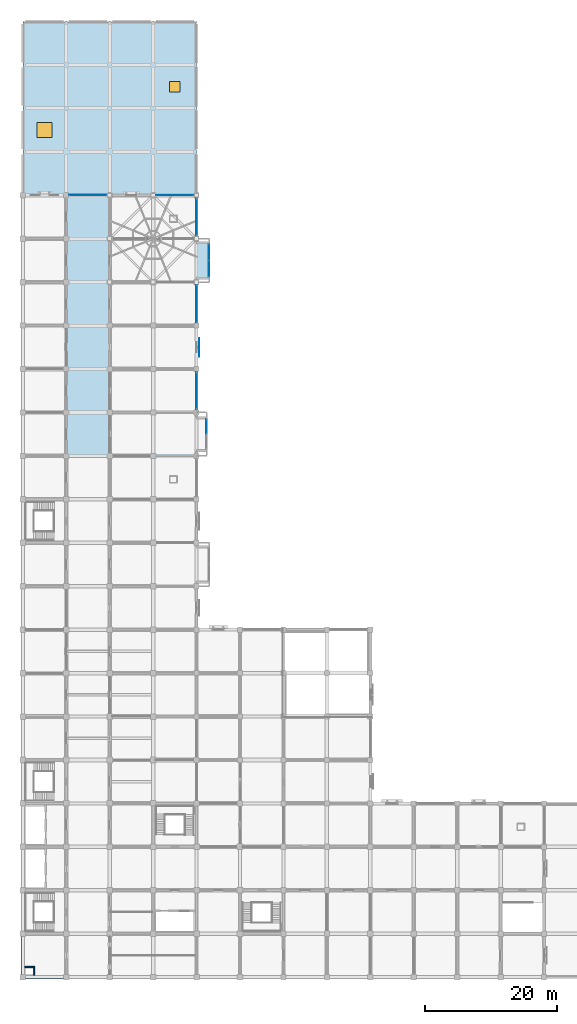
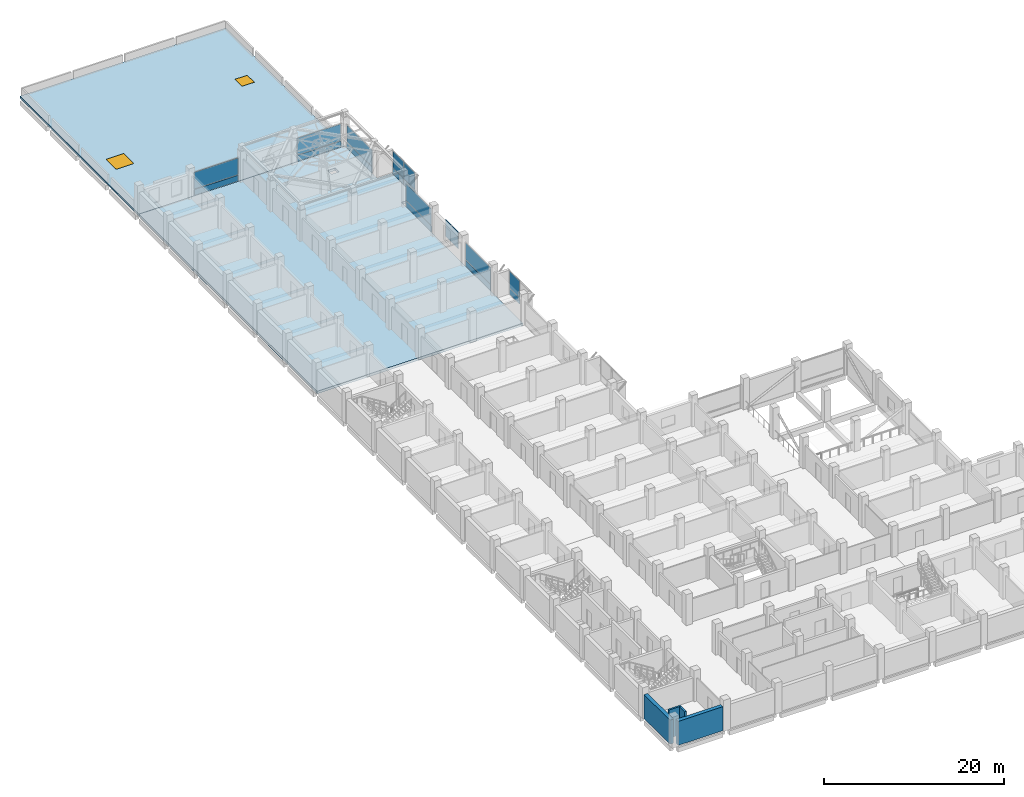
# One storey, part 16 of 30: 17 plates, 4 walls, 2 slabs, 2 windows, 2 openings, 7 elements without a shape of their own.
"""IFC4 building model written with IfcOpenShell, lengths in metres."""

from ifc_helpers import new_model, si_unit, direction, frame, frame_2d, origin, origin_2d, place, context, subcontext, project, spatial, polyline, rectangle, outline, extrude, material, layer, layer_set, type_object, element, fill, aggregate, save


model = new_model("IFC4")

# Units and contexts
model_context = context("Model", 3, precision=1e-05, world=origin(), true_north=direction((0.0, 1.0)))
body_context = subcontext(model_context, "Body", "Model", "MODEL_VIEW")
ifc_project = project(units=[si_unit("LENGTHUNIT", "METRE"), si_unit("AREAUNIT", "SQUARE_METRE"), si_unit("VOLUMEUNIT", "CUBIC_METRE"), si_unit("PLANEANGLEUNIT", "RADIAN"), si_unit("MASSUNIT", "GRAM", prefix="KILO")], contexts=[model_context])

# Site, building, storey
site_placement = place(None, origin())
site = spatial("IfcSite", under=ifc_project, at=site_placement, CompositionType="ELEMENT")
building_placement = place(site_placement, origin())
building = spatial("IfcBuilding", under=site, at=building_placement, Name="Rusizi Kubbe Research Institute", CompositionType="ELEMENT")
storey_placement = place(building_placement, frame((0.0, 0.0, 10.199951171875)))
storey = spatial("IfcBuildingStorey", under=building, at=storey_placement, Name="L02", CompositionType="ELEMENT", Elevation=10.199951171875)

# Curtain wall, plate
ifc_material_1 = material(Name="Thermally Broken Aluminium and Low-E Glazing", Category="aluminium")
curtain_wall_type_1 = type_object("IfcCurtainWallType", Name="CW-05", PredefinedType="NOTDEFINED", material=ifc_material_1)
curtain_wall_1_placement = place(storey_placement, origin())
curtain_wall_1 = element("IfcCurtainWall", 1, at=curtain_wall_1_placement, inside=storey, type_object=curtain_wall_type_1, Name="Unitised Facade Curtain Wall CW-L02-V-04-15", PredefinedType="NOTDEFINED")
ifc_material_2 = material(Name="Double Low-E Solar Control Insulated Glass", Category="glass")
ifc_layer_1 = layer(ifc_material_2, 0.02392578125)
ifc_layer_set_1 = layer_set([ifc_layer_1], Name="Double Low-E Solar Control Insulated Glass")
plate_type_1 = type_object("IfcPlateType", Name="GL-01", PredefinedType="CURTAIN_PANEL", material=ifc_layer_set_1)
plate_1_placement = place(storey_placement, frame((26.39990234375, 102.300048828125, 0.93017578125), z_axis=(0.0, 0.0, 1.0), x_axis=(0.0, 1.0, 0.0)))
plate_1 = element("IfcPlate", 2, at=plate_1_placement, type_object=plate_type_1, Name="CW-05 panel 1.2", PredefinedType="CURTAIN_PANEL", context=body_context, shape_type="SweptSolid", body=[
    extrude(rectangle(XDim=5.6201171875, YDim=0.02392578125, at=origin_2d()), origin(), (0.0, 0.0, 1.0), 2.260009765625),
])

# Curtain wall, plates
ifc_material_3 = material(Name="Thermally Broken Aluminium and Low-E Glazing", Category="aluminium")
curtain_wall_type_2 = type_object("IfcCurtainWallType", Name="CW-01", PredefinedType="NOTDEFINED", material=ifc_material_3)
curtain_wall_2_placement = place(storey_placement, origin())
curtain_wall_2 = element("IfcCurtainWall", 3, at=curtain_wall_2_placement, inside=storey, type_object=curtain_wall_type_2, Name="Cumba Glazed Curtain Wall CW-CUMBA-L02-025", PredefinedType="NOTDEFINED")
ifc_material_4 = material(Name="Double Low-E Solar Control Insulated Glass", Category="glass")
ifc_layer_2 = layer(ifc_material_4, 0.028076171875)
ifc_layer_set_2 = layer_set([ifc_layer_2], Name="Double Low-E Solar Control Insulated Glass")
plate_type_2 = type_object("IfcPlateType", Name="GL-02", PredefinedType="CURTAIN_PANEL", material=ifc_layer_set_2)
plate_2_placement = place(storey_placement, frame((28.300048828125, 107.65625, 0.93017578125), z_axis=(0.0, 0.0, 1.0), x_axis=(0.0, 1.0, 0.0)))
plate_2 = element("IfcPlate", 4, at=plate_2_placement, type_object=plate_type_2, Name="CW-01 panel 1.2", PredefinedType="CURTAIN_PANEL", context=body_context, shape_type="SweptSolid", body=[
    extrude(rectangle(XDim=2.427490234375, YDim=0.028076171875, at=origin_2d()), origin(), (0.0, 0.0, 1.0), 2.260009765625),
])
plate_3_placement = place(storey_placement, frame((28.300048828125, 110.143798828125, 0.93017578125), z_axis=(0.0, 0.0, 1.0), x_axis=(0.0, 1.0, 0.0)))
plate_3 = element("IfcPlate", 5, at=plate_3_placement, type_object=plate_type_2, Name="CW-01 panel 2.2", PredefinedType="CURTAIN_PANEL", context=body_context, shape_type="SweptSolid", body=[
    extrude(rectangle(XDim=2.427490234375, YDim=0.028076171875, at=origin_2d()), origin(), (0.0, 0.0, 1.0), 2.260009765625),
])

# Curtain wall, plate
curtain_wall_3_placement = place(storey_placement, origin())
curtain_wall_3 = element("IfcCurtainWall", 6, at=curtain_wall_3_placement, inside=storey, type_object=curtain_wall_type_1, Name="Unitised Facade Curtain Wall CW-L02-H-03-18", PredefinedType="NOTDEFINED")
ifc_material_5 = material(Name="Double Low-E Solar Control Insulated Glass", Category="glass")
ifc_layer_3 = layer(ifc_material_5, 0.031982421875)
ifc_layer_set_3 = layer_set([ifc_layer_3], Name="Double Low-E Solar Control Insulated Glass")
plate_type_3 = type_object("IfcPlateType", Name="GL-03", PredefinedType="CURTAIN_PANEL", material=ifc_layer_set_3)
plate_4_placement = place(storey_placement, frame((23.10009765625, 118.800048828125, 0.9326171875), z_axis=(0.0, 0.0, 1.0), x_axis=(1.0, 0.0, 0.0)))
plate_4 = element("IfcPlate", 7, at=plate_4_placement, type_object=plate_type_3, Name="CW-05 panel 1.2", PredefinedType="CURTAIN_PANEL", context=body_context, shape_type="SweptSolid", body=[
    extrude(rectangle(XDim=5.610107421875, YDim=0.031982421875, at=origin_2d()), origin(), (0.0, 0.0, 1.0), 2.25244140625),
])

curtain_wall_4_placement = place(storey_placement, origin())
curtain_wall_4 = element("IfcCurtainWall", 8, at=curtain_wall_4_placement, inside=storey, type_object=curtain_wall_type_1, Name="Unitised Facade Curtain Wall CW-L02-H-01-18", PredefinedType="NOTDEFINED")
ifc_material_6 = material(Name="Double Low-E Solar Control Insulated Glass", Category="glass")
ifc_layer_4 = layer(ifc_material_6, 0.035888671875)
ifc_layer_set_4 = layer_set([ifc_layer_4], Name="Double Low-E Solar Control Insulated Glass")
plate_type_4 = type_object("IfcPlateType", Name="GL-04", PredefinedType="CURTAIN_PANEL", material=ifc_layer_set_4)
plate_5_placement = place(storey_placement, frame((9.89990234375, 118.800048828125, 0.93505859375), z_axis=(0.0, 0.0, 1.0), x_axis=(1.0, 0.0, 0.0)))
plate_5 = element("IfcPlate", 9, at=plate_5_placement, type_object=plate_type_4, Name="CW-05 panel 1.2", PredefinedType="CURTAIN_PANEL", context=body_context, shape_type="SweptSolid", body=[
    extrude(rectangle(XDim=5.6201171875, YDim=0.035888671875, at=origin_2d()), origin(), (0.0, 0.0, 1.0), 2.2451171875),
])

curtain_wall_5_placement = place(storey_placement, origin())
curtain_wall_5 = element("IfcCurtainWall", 10, at=curtain_wall_5_placement, inside=storey, type_object=curtain_wall_type_1, Name="Unitised Facade Curtain Wall CW-L02-V-04-17", PredefinedType="NOTDEFINED")
plate_6_placement = place(storey_placement, frame((26.39990234375, 115.5, 0.93505859375), z_axis=(0.0, 0.0, 1.0), x_axis=(0.0, 1.0, 0.0)))
plate_6 = element("IfcPlate", 11, at=plate_6_placement, type_object=plate_type_4, Name="CW-05 panel 1.2", PredefinedType="CURTAIN_PANEL", context=body_context, shape_type="SweptSolid", body=[
    extrude(rectangle(XDim=5.60009765625, YDim=0.035888671875, at=origin_2d()), origin(), (0.0, 0.0, 1.0), 2.2451171875),
])

curtain_wall_6_placement = place(storey_placement, origin())
curtain_wall_6 = element("IfcCurtainWall", 12, at=curtain_wall_6_placement, inside=storey, type_object=curtain_wall_type_2, Name="Cumba Glazed Curtain Wall CW-CUMBA-L02-022", PredefinedType="NOTDEFINED")
ifc_material_7 = material(Name="Double Low-E Solar Control Insulated Glass", Category="glass")
ifc_layer_5 = layer(ifc_material_7, 0.048095703125)
ifc_layer_set_5 = layer_set([ifc_layer_5], Name="Double Low-E Solar Control Insulated Glass")
plate_type_5 = type_object("IfcPlateType", Name="GL-07", PredefinedType="CURTAIN_PANEL", material=ifc_layer_set_5)
plate_7_placement = place(storey_placement, frame((27.89990234375, 83.639892578125, 0.9326171875), z_axis=(0.0, 0.0, 1.0), x_axis=(0.0, 1.0, 0.0)))
plate_7 = element("IfcPlate", 13, at=plate_7_placement, type_object=plate_type_5, Name="CW-01 panel 2.2", PredefinedType="CURTAIN_PANEL", context=body_context, shape_type="SweptSolid", body=[
    extrude(rectangle(XDim=2.205078125, YDim=0.048095703125, at=origin_2d()), origin(), (0.0, 0.0, 1.0), 2.25244140625),
])

curtain_wall_7_placement = place(storey_placement, origin())
curtain_wall_7 = element("IfcCurtainWall", 14, at=curtain_wall_7_placement, inside=storey, type_object=curtain_wall_type_1, Name="Unitised Facade Curtain Wall CW-L02-V-04-13", PredefinedType="NOTDEFINED")
ifc_material_8 = material(Name="Double Low-E Solar Control Insulated Glass", Category="glass")
ifc_layer_6 = layer(ifc_material_8, 0.052001953125)
ifc_layer_set_6 = layer_set([ifc_layer_6], Name="Double Low-E Solar Control Insulated Glass")
plate_type_6 = type_object("IfcPlateType", Name="GL-08", PredefinedType="CURTAIN_PANEL", material=ifc_layer_set_6)
plate_8_placement = place(storey_placement, frame((26.39990234375, 89.10009765625, 0.93505859375), z_axis=(0.0, 0.0, 1.0), x_axis=(0.0, 1.0, 0.0)))
plate_8 = element("IfcPlate", 15, at=plate_8_placement, type_object=plate_type_6, Name="CW-05 panel 1.2", PredefinedType="CURTAIN_PANEL", context=body_context, shape_type="SweptSolid", body=[
    extrude(rectangle(XDim=5.580078125, YDim=0.052001953125, at=origin_2d()), origin(), (0.0, 0.0, 1.0), 2.2451171875),
])

# Plate
ifc_material_9 = material(Name="Perforated Architectural Bronze Screen", Category="steel")
ifc_layer_7 = layer(ifc_material_9, 0.02197265625)
ifc_layer_set_7 = layer_set([ifc_layer_7], Name="Perforated Architectural Bronze Screen")
plate_type_7 = type_object("IfcPlateType", Name="MS-03", PredefinedType="SHEET", material=ifc_layer_set_7)
plate_9_placement = place(storey_placement, frame((26.8125, 95.699951171875, 0.759765625), z_axis=(0.0, 0.0, 1.0), x_axis=(0.0, 1.0, 0.0)))
element("IfcPlate", 16, at=plate_9_placement, inside=storey, type_object=plate_type_7, Name="Mashrabiya Perforated Screen MS-03-032", PredefinedType="SHEET", context=body_context, shape_type="SweptSolid", body=[
    extrude(rectangle(XDim=2.800048828125, YDim=0.02197265625, at=origin_2d()), origin(), (0.0, 0.0, 1.0), 2.340087890625),
])

# Slab
ifc_material_10 = material(Name="Concrete C40/50", Category="concrete")
ifc_layer_8 = layer(ifc_material_10, 0.35009765625)
ifc_layer_set_8 = layer_set([ifc_layer_8], Name="Concrete C40/50")
slab_type_1 = type_object("IfcSlabType", Name="SL-F350", PredefinedType="FLOOR", material=ifc_layer_set_8)
slab_1_placement = place(storey_placement, frame((0.0, 0.0, -0.349853515625)))
element("IfcSlab", 17, at=slab_1_placement, inside=storey, type_object=slab_type_1, Name="Structural Slab L02 NORTHB", PredefinedType="FLOOR", context=body_context, shape_type="SweptSolid", body=[
    extrude(outline(polyline([(0.0, 112.199951171875), (0.0, 118.800048828125), (6.60009765625, 118.800048828125), (13.199951171875, 118.800048828125), (19.800048828125, 118.800048828125), (26.39990234375, 118.800048828125), (26.39990234375, 112.199951171875), (26.39990234375, 111.60009765625), (28.39990234375, 111.60009765625), (28.39990234375, 106.199951171875), (26.39990234375, 106.199951171875), (26.39990234375, 105.60009765625), (26.39990234375, 99.0), (26.39990234375, 92.39990234375), (26.39990234375, 85.800048828125), (26.39990234375, 79.199951171875), (19.800048828125, 79.199951171875), (13.199951171875, 79.199951171875), (6.60009765625, 79.199951171875), (0.0, 79.199951171875), (0.0, 85.800048828125), (0.0, 92.39990234375), (0.0, 99.0), (0.0, 105.60009765625), (0.0, 112.199951171875)]), holes=[polyline([(23.35009765625, 115.64990234375), (22.39990234375, 115.64990234375), (22.39990234375, 114.800048828125), (23.35009765625, 114.800048828125), (23.35009765625, 115.64990234375)])]), origin(), (0.0, 0.0, 1.0), 0.349853515625),
])

# Slab, openings, windows
ifc_material_11 = material(Name="Concrete C40/50", Category="concrete")
ifc_layer_9 = layer(ifc_material_11, 0.260009765625)
ifc_layer_set_9 = layer_set([ifc_layer_9], Name="Concrete C40/50")
slab_type_2 = type_object("IfcSlabType", Name="SL-R260", PredefinedType="ROOF", material=ifc_layer_set_9)
slab_2_placement = place(storey_placement, frame((0.0, 0.0, -0.260009765625)))
slab_2 = element("IfcSlab", 18, at=slab_2_placement, inside=storey, type_object=slab_type_2, Name="Stepback Maintenance Roof Slab L02-1", PredefinedType="ROOF", context=body_context, shape_type="SweptSolid", body=[
    extrude(outline(polyline([(0.0, 145.199951171875), (6.60009765625, 145.199951171875), (13.199951171875, 145.199951171875), (19.800048828125, 145.199951171875), (26.39990234375, 145.199951171875), (26.39990234375, 138.60009765625), (26.39990234375, 132.0), (26.39990234375, 125.39990234375), (26.39990234375, 118.804931640625), (0.0, 118.804931640625), (0.0, 125.39990234375), (0.0, 132.0), (0.0, 138.60009765625), (0.0, 145.199951171875)])), origin(), (0.0, 0.0, 1.0), 0.260009765625),
])
opening_1_placement = place(slab_2_placement, frame((3.300048828125, 128.699951171875, -0.010009765625)))
opening_1 = element("IfcOpeningElement", 19, at=opening_1_placement, cuts=slab_2, Name="Opening SK-04", PredefinedType="OPENING", context=body_context, shape_type="SweptSolid", body=[
    extrude(rectangle(XDim=2.239990234375, YDim=2.239990234375, at=origin_2d()), origin(), (0.0, 0.0, 1.0), 0.280029296875),
])
opening_2_placement = place(slab_2_placement, frame((23.10009765625, 135.300048828125, -0.010009765625)))
opening_2 = element("IfcOpeningElement", 20, at=opening_2_placement, cuts=slab_2, Name="Opening SK-01", PredefinedType="OPENING", context=body_context, shape_type="SweptSolid", body=[
    extrude(rectangle(XDim=1.56005859375, YDim=1.56005859375, at=origin_2d()), origin(), (0.0, 0.0, 1.0), 0.280029296875),
])
ifc_material_12 = material(Name="Laminated Insulated Roof Glazing", Category="glass")
window_type_1 = type_object("IfcWindowType", Name="SK-01", PartitioningType="SINGLE_PANEL", PredefinedType="SKYLIGHT", material=ifc_material_12)
window_1_placement = place(slab_2_placement, frame((23.10009765625, 135.300048828125, 0.2099609375)))
window_1 = element("IfcWindow", 21, at=window_1_placement, inside=storey, type_object=window_type_1, Name="Roof Skylight SK-01-05", OverallHeight=1.56005859375, OverallWidth=1.56005859375, PartitioningType="SINGLE_PANEL", PredefinedType="SKYLIGHT", context=body_context, shape_type="SweptSolid", body=[
    extrude(rectangle(XDim=1.56005859375, YDim=1.56005859375, at=origin_2d()), origin(), (0.0, 0.0, 1.0), 0.050048828125),
])
fill(opening_2, window_1)
ifc_material_13 = material(Name="Laminated Insulated Roof Glazing", Category="glass")
window_type_2 = type_object("IfcWindowType", Name="SK-04", PartitioningType="SINGLE_PANEL", PredefinedType="SKYLIGHT", material=ifc_material_13)
window_2_placement = place(slab_2_placement, frame((3.300048828125, 128.699951171875, 0.2099609375)))
window_2 = element("IfcWindow", 22, at=window_2_placement, inside=storey, type_object=window_type_2, Name="Roof Skylight SK-04-04", OverallHeight=2.239990234375, OverallWidth=2.239990234375, PartitioningType="SINGLE_PANEL", PredefinedType="SKYLIGHT", context=body_context, shape_type="SweptSolid", body=[
    extrude(rectangle(XDim=2.239990234375, YDim=2.239990234375, at=origin_2d()), origin(), (0.0, 0.0, 1.0), 0.050048828125),
])
fill(opening_1, window_2)

# Plate
ifc_material_14 = material(Name="Ceramic-Frit Insulated Spandrel Panel", Category="glass")
ifc_layer_10 = layer(ifc_material_14, 0.05810546875)
ifc_layer_set_10 = layer_set([ifc_layer_10], Name="Ceramic-Frit Insulated Spandrel Panel")
plate_type_8 = type_object("IfcPlateType", Name="SP-01", PredefinedType="CURTAIN_PANEL", material=ifc_layer_set_10)
plate_10_placement = place(storey_placement, frame((26.39990234375, 102.300048828125, 0.06005859375), z_axis=(0.0, 0.0, 1.0), x_axis=(0.0, 1.0, 0.0)))
plate_10 = element("IfcPlate", 23, at=plate_10_placement, type_object=plate_type_8, Name="CW-05 panel 1.1", PredefinedType="CURTAIN_PANEL", context=body_context, shape_type="SweptSolid", body=[
    extrude(rectangle(XDim=5.6201171875, YDim=0.05810546875, at=origin_2d()), origin(), (0.0, 0.0, 1.0), 0.81005859375),
])

aggregate(curtain_wall_1, [plate_10, plate_1])

ifc_material_15 = material(Name="Ceramic-Frit Insulated Spandrel Panel", Category="glass")
ifc_layer_11 = layer(ifc_material_15, 0.06396484375)
ifc_layer_set_11 = layer_set([ifc_layer_11], Name="Ceramic-Frit Insulated Spandrel Panel")
plate_type_9 = type_object("IfcPlateType", Name="SP-02", PredefinedType="CURTAIN_PANEL", material=ifc_layer_set_11)
plate_11_placement = place(storey_placement, frame((28.300048828125, 107.65625, 0.06005859375), z_axis=(0.0, 0.0, 1.0), x_axis=(0.0, 1.0, 0.0)))
plate_11 = element("IfcPlate", 24, at=plate_11_placement, type_object=plate_type_9, Name="CW-01 panel 1.1", PredefinedType="CURTAIN_PANEL", context=body_context, shape_type="SweptSolid", body=[
    extrude(rectangle(XDim=2.427490234375, YDim=0.06396484375, at=origin_2d()), origin(), (0.0, 0.0, 1.0), 0.81005859375),
])

plate_12_placement = place(storey_placement, frame((28.300048828125, 110.143798828125, 0.06005859375), z_axis=(0.0, 0.0, 1.0), x_axis=(0.0, 1.0, 0.0)))
plate_12 = element("IfcPlate", 25, at=plate_12_placement, type_object=plate_type_9, Name="CW-01 panel 2.1", PredefinedType="CURTAIN_PANEL", context=body_context, shape_type="SweptSolid", body=[
    extrude(rectangle(XDim=2.427490234375, YDim=0.06396484375, at=origin_2d()), origin(), (0.0, 0.0, 1.0), 0.81005859375),
])

aggregate(curtain_wall_2, [plate_11, plate_2, plate_12, plate_3])

ifc_material_16 = material(Name="Ceramic-Frit Insulated Spandrel Panel", Category="glass")
ifc_layer_12 = layer(ifc_material_16, 0.070068359375)
ifc_layer_set_12 = layer_set([ifc_layer_12], Name="Ceramic-Frit Insulated Spandrel Panel")
plate_type_10 = type_object("IfcPlateType", Name="SP-03", PredefinedType="CURTAIN_PANEL", material=ifc_layer_set_12)
plate_13_placement = place(storey_placement, frame((27.89990234375, 83.639892578125, 0.06494140625), z_axis=(0.0, 0.0, 1.0), x_axis=(0.0, 1.0, 0.0)))
plate_13 = element("IfcPlate", 26, at=plate_13_placement, type_object=plate_type_10, Name="CW-01 panel 2.1", PredefinedType="CURTAIN_PANEL", context=body_context, shape_type="SweptSolid", body=[
    extrude(rectangle(XDim=2.205078125, YDim=0.070068359375, at=origin_2d()), origin(), (0.0, 0.0, 1.0), 0.802490234375),
])

aggregate(curtain_wall_6, [plate_13, plate_7])

plate_14_placement = place(storey_placement, frame((23.10009765625, 118.800048828125, 0.06494140625), z_axis=(0.0, 0.0, 1.0), x_axis=(1.0, 0.0, 0.0)))
plate_14 = element("IfcPlate", 27, at=plate_14_placement, type_object=plate_type_10, Name="CW-05 panel 1.1", PredefinedType="CURTAIN_PANEL", context=body_context, shape_type="SweptSolid", body=[
    extrude(rectangle(XDim=5.610107421875, YDim=0.070068359375, at=origin_2d()), origin(), (0.0, 0.0, 1.0), 0.802490234375),
])

aggregate(curtain_wall_3, [plate_14, plate_4])

ifc_material_17 = material(Name="Ceramic-Frit Insulated Spandrel Panel", Category="glass")
ifc_layer_13 = layer(ifc_material_17, 0.075927734375)
ifc_layer_set_13 = layer_set([ifc_layer_13], Name="Ceramic-Frit Insulated Spandrel Panel")
plate_type_11 = type_object("IfcPlateType", Name="SP-04", PredefinedType="CURTAIN_PANEL", material=ifc_layer_set_13)
plate_15_placement = place(storey_placement, frame((9.89990234375, 118.800048828125, 0.070068359375), z_axis=(0.0, 0.0, 1.0), x_axis=(1.0, 0.0, 0.0)))
plate_15 = element("IfcPlate", 28, at=plate_15_placement, type_object=plate_type_11, Name="CW-05 panel 1.1", PredefinedType="CURTAIN_PANEL", context=body_context, shape_type="SweptSolid", body=[
    extrude(rectangle(XDim=5.6201171875, YDim=0.075927734375, at=origin_2d()), origin(), (0.0, 0.0, 1.0), 0.794921875),
])

aggregate(curtain_wall_4, [plate_15, plate_5])

plate_16_placement = place(storey_placement, frame((26.39990234375, 89.10009765625, 0.070068359375), z_axis=(0.0, 0.0, 1.0), x_axis=(0.0, 1.0, 0.0)))
plate_16 = element("IfcPlate", 29, at=plate_16_placement, type_object=plate_type_11, Name="CW-05 panel 1.1", PredefinedType="CURTAIN_PANEL", context=body_context, shape_type="SweptSolid", body=[
    extrude(rectangle(XDim=5.580078125, YDim=0.075927734375, at=origin_2d()), origin(), (0.0, 0.0, 1.0), 0.794921875),
])

aggregate(curtain_wall_7, [plate_16, plate_8])

plate_17_placement = place(storey_placement, frame((26.39990234375, 115.5, 0.070068359375), z_axis=(0.0, 0.0, 1.0), x_axis=(0.0, 1.0, 0.0)))
plate_17 = element("IfcPlate", 30, at=plate_17_placement, type_object=plate_type_11, Name="CW-05 panel 1.1", PredefinedType="CURTAIN_PANEL", context=body_context, shape_type="SweptSolid", body=[
    extrude(rectangle(XDim=5.60009765625, YDim=0.075927734375, at=origin_2d()), origin(), (0.0, 0.0, 1.0), 0.794921875),
])

aggregate(curtain_wall_5, [plate_17, plate_6])

# Walls
ifc_material_18 = material(Name="Concrete Blockwork Fire Partition", Category="masonry")
ifc_layer_14 = layer(ifc_material_18, 0.22509765625)
ifc_layer_set_14 = layer_set([ifc_layer_14], Name="Concrete Blockwork Fire Partition")
wall_type_1 = type_object("IfcWallType", Name="IW-01", PredefinedType="PARTITIONING", material=ifc_layer_set_14)
wall_1_placement = place(storey_placement, frame((1.679931640625, 0.260009765625, 0.0), z_axis=(0.0, 0.0, 1.0), x_axis=(0.0, 1.0, 0.0)))
element("IfcWall", 31, at=wall_1_placement, inside=storey, type_object=wall_type_1, Name="Riser Shaft Wall E L02", PredefinedType="PARTITIONING", context=body_context, shape_type="SweptSolid", body=[
    extrude(rectangle(XDim=1.169921875, YDim=0.22509765625, at=frame_2d((0.5849609375, 0.0))), origin(), (0.0, 0.0, 1.0), 3.85009765625),
])
wall_2_placement = place(storey_placement, frame((0.260009765625, 1.550048828125, 0.0), z_axis=(0.0, 0.0, 1.0), x_axis=(1.0, 0.0, 0.0)))
element("IfcWall", 32, at=wall_2_placement, inside=storey, type_object=wall_type_1, Name="Riser Shaft Wall N L02", PredefinedType="PARTITIONING", context=body_context, shape_type="SweptSolid", body=[
    extrude(rectangle(XDim=1.5400390625, YDim=0.22509765625, at=frame_2d((0.77001953125, 0.0))), origin(), (0.0, 0.0, 1.0), 3.85009765625),
])
ifc_material_19 = material(Name="Concrete C40/50", Category="concrete")
ifc_layer_15 = layer(ifc_material_19, 0.47998046875)
ifc_layer_set_15 = layer_set([ifc_layer_15], Name="Concrete C40/50")
wall_type_2 = type_object("IfcWallType", Name="PW-01", PredefinedType="SOLIDWALL", material=ifc_layer_set_15)
for number, where, z_axis, x_axis, name in (
    (33, (0.425048828125, 0.0, 0.0), (0.0, 0.0, 1.0), (1.0, 0.0, 0.0), "Blind Party Wall L02 H0-0"),
    (34, (0.0, 0.425048828125, 0.0), (0.0, 0.0, 1.0), (0.0, 1.0, 0.0), "Blind Party Wall L02 V0-0"),
):
    element("IfcWall", number, at=place(storey_placement, frame(where, z_axis=z_axis, x_axis=x_axis)), inside=storey, type_object=wall_type_2, Name=name, PredefinedType="SOLIDWALL", context=body_context, shape_type="SweptSolid", body=[
        extrude(rectangle(XDim=5.75, YDim=0.47998046875, at=frame_2d((2.875, 0.0))), origin(), (0.0, 0.0, 1.0), 3.25),
    ])

save(model, "model.ifc")
